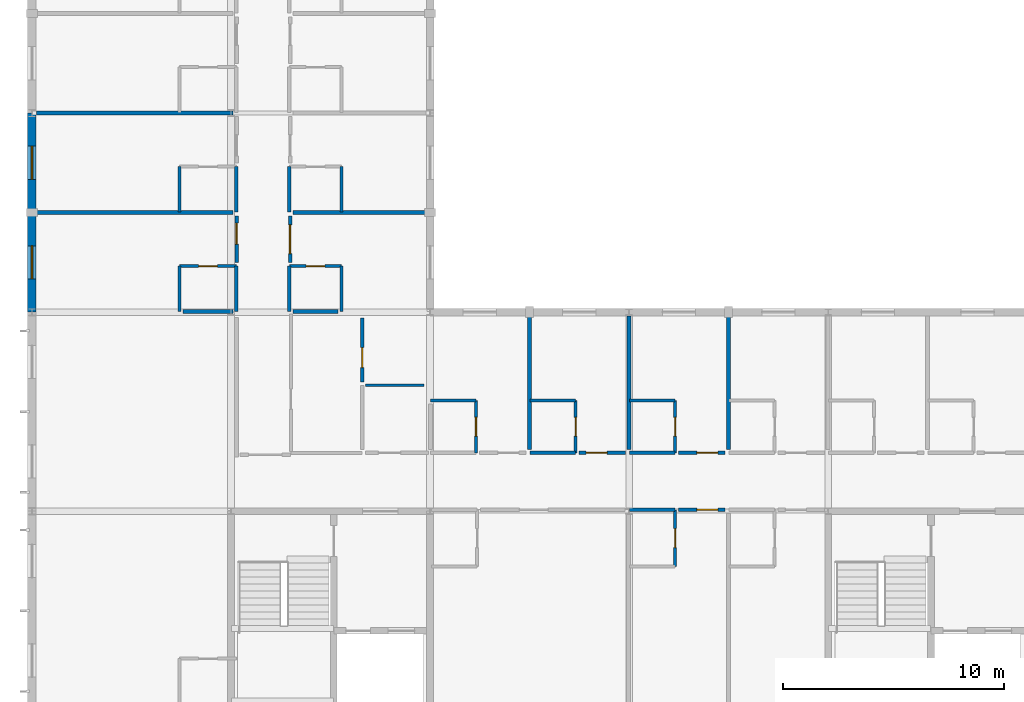
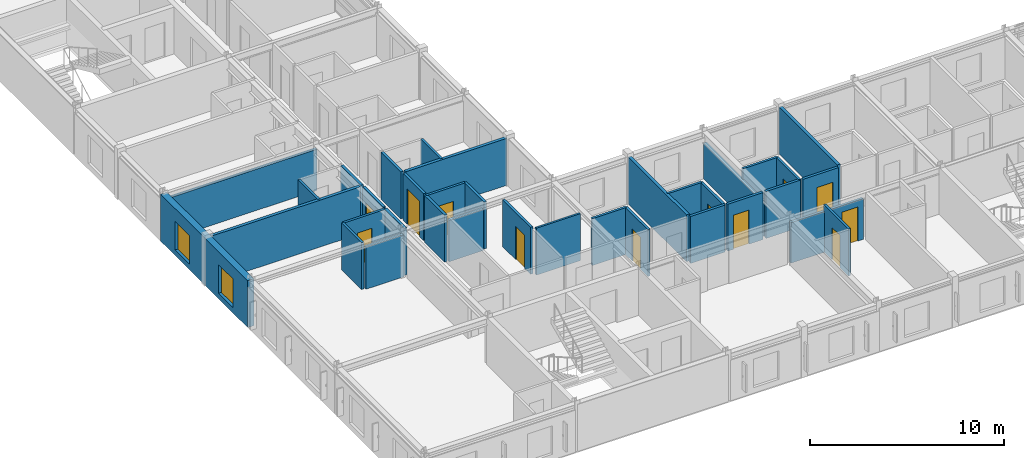
# One storey, part 10 of 18: 36 walls, 12 doors, 2 windows, 14 openings.
"""IFC4 building model written with IfcOpenShell, lengths in metres."""

from ifc_helpers import new_model, si_unit, direction, frame, frame_2d, origin, place, context, subcontext, project, spatial, rectangle, extrude, material, layer, layer_set, type_object, element, fill, save


model = new_model("IFC4")

# Units and contexts
model_context = context("Model", 3, precision=1e-05, world=origin(), true_north=direction((0.0, 1.0)))
body_context = subcontext(model_context, "Body", "Model", "MODEL_VIEW")
ifc_project = project(units=[si_unit("LENGTHUNIT", "METRE"), si_unit("AREAUNIT", "SQUARE_METRE"), si_unit("VOLUMEUNIT", "CUBIC_METRE"), si_unit("PLANEANGLEUNIT", "RADIAN"), si_unit("MASSUNIT", "GRAM", prefix="KILO")], contexts=[model_context])

# Site, building, storey
site_placement = place(None, origin())
site = spatial("IfcSite", under=ifc_project, at=site_placement, CompositionType="ELEMENT")
building_placement = place(site_placement, origin())
building = spatial("IfcBuilding", under=site, at=building_placement, Name="Palais des Congres Ocreval", CompositionType="ELEMENT")
storey_placement = place(building_placement, frame((0.0, 0.0, 23.679931640625)))
storey = spatial("IfcBuildingStorey", under=building, at=storey_placement, Name="L07", CompositionType="ELEMENT", Elevation=23.679931640625)

# Wall, opening, door
ifc_material_1 = material(Name="Moisture-resistant gypsum board")
ifc_layer_1 = layer(ifc_material_1, 0.139892578125)
ifc_layer_set_1 = layer_set([ifc_layer_1], Name="Bathroom Plumbing Chase Wall 140 Gypsum (Moisture-resistant gypsum board)")
wall_type_1 = type_object("IfcWallType", Name="Bathroom Plumbing Chase Wall 140 Gypsum", PredefinedType="PLUMBINGWALL", material=ifc_layer_set_1)
wall_1_placement = place(storey_placement, frame((29.080078125, 6.5, 0.0), z_axis=(0.0, 0.0, 1.0), x_axis=(0.0, 1.0, 0.0)))
wall_1 = element("IfcWall", 1, at=wall_1_placement, inside=storey, type_object=wall_type_1, Name="Bathroom Plumbing Wall PW03 L07", PredefinedType="PLUMBINGWALL", context=body_context, shape_type="SweptSolid", body=[
    extrude(rectangle(XDim=2.56005859375, YDim=0.139892578125, at=frame_2d((1.280029296875, 0.0))), origin(), (0.0, 0.0, 1.0), 2.9599609375),
])
opening_1_placement = place(wall_1_placement, frame((0.85498046875, 0.0, 0.0)))
opening_1 = element("IfcOpeningElement", 2, at=opening_1_placement, cuts=wall_1, Name="Opening D08", PredefinedType="OPENING", context=body_context, shape_type="SweptSolid", body=[
    extrude(rectangle(XDim=0.85009765625, YDim=2.0400390625, at=frame_2d((0.425048828125, 1.02001953125))), frame((0.0, 0.079833984375, 0.0), z_axis=(0.0, -1.0, 0.0), x_axis=(1.0, 0.0, 0.0)), (0.0, 0.0, 1.0), 0.159912109375),
])
ifc_material_2 = material(Name="Solid French oak", Category="wood")
door_type_1 = type_object("IfcDoorType", Name="En-Suite Bathroom Door 850x2040", OperationType="NOTDEFINED", PredefinedType="DOOR", material=ifc_material_2)
door_1_placement = place(opening_1_placement, origin())
door_1 = element("IfcDoor", 3, at=door_1_placement, inside=storey, type_object=door_type_1, Name="En-Suite Bathroom Door D08 L07", OperationType="SINGLE_SWING_LEFT", OverallHeight=2.0400390625, OverallWidth=0.85009765625, PredefinedType="DOOR", context=body_context, shape_type="SweptSolid", body=[
    extrude(rectangle(XDim=0.85009765625, YDim=2.0400390625, at=frame_2d((0.425048828125, 1.02001953125))), frame((0.0, 0.02490234375, 0.0), z_axis=(0.0, -1.0, 0.0), x_axis=(1.0, 0.0, 0.0)), (0.0, 0.0, 1.0), 0.050048828125),
])
fill(opening_1, door_1)

wall_2_placement = place(storey_placement, frame((20.080078125, 11.639892578125, 0.0), z_axis=(0.0, 0.0, 1.0), x_axis=(0.0, 1.0, 0.0)))
wall_2 = element("IfcWall", 4, at=wall_2_placement, inside=storey, type_object=wall_type_1, Name="Bathroom Plumbing Wall PW03 L07", PredefinedType="PLUMBINGWALL", context=body_context, shape_type="SweptSolid", body=[
    extrude(rectangle(XDim=2.360107421875, YDim=0.139892578125, at=frame_2d((1.18017578125, 0.0))), origin(), (0.0, 0.0, 1.0), 2.9599609375),
])
opening_2_placement = place(wall_2_placement, frame((0.7548828125, 0.0, 0.0)))
opening_2 = element("IfcOpeningElement", 5, at=opening_2_placement, cuts=wall_2, Name="Opening D08", PredefinedType="OPENING", context=body_context, shape_type="SweptSolid", body=[
    extrude(rectangle(XDim=0.85009765625, YDim=2.0400390625, at=frame_2d((0.425048828125, 1.02001953125))), frame((0.0, 0.079833984375, 0.0), z_axis=(0.0, -1.0, 0.0), x_axis=(1.0, 0.0, 0.0)), (0.0, 0.0, 1.0), 0.159912109375),
])
door_2_placement = place(opening_2_placement, origin())
door_2 = element("IfcDoor", 6, at=door_2_placement, inside=storey, type_object=door_type_1, Name="En-Suite Bathroom Door D08 L07", OperationType="SINGLE_SWING_LEFT", OverallHeight=2.0400390625, OverallWidth=0.85009765625, PredefinedType="DOOR", context=body_context, shape_type="SweptSolid", body=[
    extrude(rectangle(XDim=0.85009765625, YDim=2.0400390625, at=frame_2d((0.425048828125, 1.02001953125))), frame((0.0, 0.02490234375, 0.0), z_axis=(0.0, -1.0, 0.0), x_axis=(1.0, 0.0, 0.0)), (0.0, 0.0, 1.0), 0.050048828125),
])
fill(opening_2, door_2)

# Wall
wall_3_placement = place(storey_placement, frame((18.02001953125, 14.0, 0.0), z_axis=(0.0, 0.0, 1.0), x_axis=(1.0, 0.0, 0.0)))
element("IfcWall", 7, at=wall_3_placement, inside=storey, type_object=wall_type_1, Name="Bathroom Plumbing Wall PW03 L07", PredefinedType="PLUMBINGWALL", context=body_context, shape_type="SweptSolid", body=[
    extrude(rectangle(XDim=2.06005859375, YDim=0.139892578125, at=frame_2d((1.030029296875, 0.0))), origin(), (0.0, 0.0, 1.0), 2.9599609375),
])

# Wall, opening, door
wall_4_placement = place(storey_placement, frame((24.580078125, 11.639892578125, 0.0), z_axis=(0.0, 0.0, 1.0), x_axis=(0.0, 1.0, 0.0)))
wall_4 = element("IfcWall", 8, at=wall_4_placement, inside=storey, type_object=wall_type_1, Name="Bathroom Plumbing Wall PW03 L07", PredefinedType="PLUMBINGWALL", context=body_context, shape_type="SweptSolid", body=[
    extrude(rectangle(XDim=2.360107421875, YDim=0.139892578125, at=frame_2d((1.18017578125, 0.0))), origin(), (0.0, 0.0, 1.0), 2.9599609375),
])
opening_3_placement = place(wall_4_placement, frame((0.7548828125, 0.0, 0.0)))
opening_3 = element("IfcOpeningElement", 9, at=opening_3_placement, cuts=wall_4, Name="Opening D08", PredefinedType="OPENING", context=body_context, shape_type="SweptSolid", body=[
    extrude(rectangle(XDim=0.85009765625, YDim=2.0400390625, at=frame_2d((0.425048828125, 1.02001953125))), frame((0.0, 0.079833984375, 0.0), z_axis=(0.0, -1.0, 0.0), x_axis=(1.0, 0.0, 0.0)), (0.0, 0.0, 1.0), 0.159912109375),
])
door_3_placement = place(opening_3_placement, origin())
door_3 = element("IfcDoor", 10, at=door_3_placement, inside=storey, type_object=door_type_1, Name="En-Suite Bathroom Door D08 L07", OperationType="SINGLE_SWING_RIGHT", OverallHeight=2.0400390625, OverallWidth=0.85009765625, PredefinedType="DOOR", context=body_context, shape_type="SweptSolid", body=[
    extrude(rectangle(XDim=0.85009765625, YDim=2.0400390625, at=frame_2d((0.425048828125, 1.02001953125))), frame((0.0, 0.02490234375, 0.0), z_axis=(0.0, -1.0, 0.0), x_axis=(1.0, 0.0, 0.0)), (0.0, 0.0, 1.0), 0.050048828125),
])
fill(opening_3, door_3)

# Wall
wall_5_placement = place(storey_placement, frame((22.52001953125, 14.0, 0.0), z_axis=(0.0, 0.0, 1.0), x_axis=(1.0, 0.0, 0.0)))
element("IfcWall", 11, at=wall_5_placement, inside=storey, type_object=wall_type_1, Name="Bathroom Plumbing Wall PW03 L07", PredefinedType="PLUMBINGWALL", context=body_context, shape_type="SweptSolid", body=[
    extrude(rectangle(XDim=2.06005859375, YDim=0.139892578125, at=frame_2d((1.030029296875, 0.0))), origin(), (0.0, 0.0, 1.0), 2.9599609375),
])

# Wall, opening, door
wall_6_placement = place(storey_placement, frame((29.080078125, 11.639892578125, 0.0), z_axis=(0.0, 0.0, 1.0), x_axis=(0.0, 1.0, 0.0)))
wall_6 = element("IfcWall", 12, at=wall_6_placement, inside=storey, type_object=wall_type_1, Name="Bathroom Plumbing Wall PW03 L07", PredefinedType="PLUMBINGWALL", context=body_context, shape_type="SweptSolid", body=[
    extrude(rectangle(XDim=2.360107421875, YDim=0.139892578125, at=frame_2d((1.18017578125, 0.0))), origin(), (0.0, 0.0, 1.0), 2.9599609375),
])
opening_4_placement = place(wall_6_placement, frame((0.7548828125, 0.0, 0.0)))
opening_4 = element("IfcOpeningElement", 13, at=opening_4_placement, cuts=wall_6, Name="Opening D08", PredefinedType="OPENING", context=body_context, shape_type="SweptSolid", body=[
    extrude(rectangle(XDim=0.85009765625, YDim=2.0400390625, at=frame_2d((0.425048828125, 1.02001953125))), frame((0.0, 0.079833984375, 0.0), z_axis=(0.0, -1.0, 0.0), x_axis=(1.0, 0.0, 0.0)), (0.0, 0.0, 1.0), 0.159912109375),
])
door_4_placement = place(opening_4_placement, origin())
door_4 = element("IfcDoor", 14, at=door_4_placement, inside=storey, type_object=door_type_1, Name="En-Suite Bathroom Door D08 L07", OperationType="SINGLE_SWING_LEFT", OverallHeight=2.0400390625, OverallWidth=0.85009765625, PredefinedType="DOOR", context=body_context, shape_type="SweptSolid", body=[
    extrude(rectangle(XDim=0.85009765625, YDim=2.0400390625, at=frame_2d((0.425048828125, 1.02001953125))), frame((0.0, 0.02490234375, 0.0), z_axis=(0.0, -1.0, 0.0), x_axis=(1.0, 0.0, 0.0)), (0.0, 0.0, 1.0), 0.050048828125),
])
fill(opening_4, door_4)

# Wall
wall_7_placement = place(storey_placement, frame((27.02001953125, 14.0, 0.0), z_axis=(0.0, 0.0, 1.0), x_axis=(1.0, 0.0, 0.0)))
element("IfcWall", 15, at=wall_7_placement, inside=storey, type_object=wall_type_1, Name="Bathroom Plumbing Wall PW03 L07", PredefinedType="PLUMBINGWALL", context=body_context, shape_type="SweptSolid", body=[
    extrude(rectangle(XDim=2.06005859375, YDim=0.139892578125, at=frame_2d((1.030029296875, 0.0))), origin(), (0.0, 0.0, 1.0), 2.9599609375),
])

# Wall, opening, door
wall_8_placement = place(storey_placement, frame((6.679931640625, 20.080078125, 0.0), z_axis=(0.0, 0.0, 1.0), x_axis=(1.0, 0.0, 0.0)))
wall_8 = element("IfcWall", 16, at=wall_8_placement, inside=storey, type_object=wall_type_1, Name="Bathroom Plumbing Wall PW03 L07", PredefinedType="PLUMBINGWALL", context=body_context, shape_type="SweptSolid", body=[
    extrude(rectangle(XDim=2.56005859375, YDim=0.139892578125, at=frame_2d((1.280029296875, 0.0))), origin(), (0.0, 0.0, 1.0), 2.9599609375),
])
opening_5_placement = place(wall_8_placement, frame((0.85498046875, 0.0, 0.0)))
opening_5 = element("IfcOpeningElement", 17, at=opening_5_placement, cuts=wall_8, Name="Opening D08", PredefinedType="OPENING", context=body_context, shape_type="SweptSolid", body=[
    extrude(rectangle(XDim=0.85009765625, YDim=2.0400390625, at=frame_2d((0.425048828125, 1.02001953125))), frame((0.0, 0.079833984375, 0.0), z_axis=(0.0, -1.0, 0.0), x_axis=(1.0, 0.0, 0.0)), (0.0, 0.0, 1.0), 0.159912109375),
])
door_5_placement = place(opening_5_placement, origin())
door_5 = element("IfcDoor", 18, at=door_5_placement, inside=storey, type_object=door_type_1, Name="En-Suite Bathroom Door D08 L07", OperationType="SINGLE_SWING_LEFT", OverallHeight=2.0400390625, OverallWidth=0.85009765625, PredefinedType="DOOR", context=body_context, shape_type="SweptSolid", body=[
    extrude(rectangle(XDim=0.85009765625, YDim=2.0400390625, at=frame_2d((0.425048828125, 1.02001953125))), frame((0.0, 0.02490234375, 0.0), z_axis=(0.0, -1.0, 0.0), x_axis=(1.0, 0.0, 0.0)), (0.0, 0.0, 1.0), 0.050048828125),
])
fill(opening_5, door_5)

# Walls
for number, where, z_axis, x_axis, name in (
    (19, (6.679931640625, 18.02001953125, 0.0), (0.0, 0.0, 1.0), (0.0, 1.0, 0.0), "Bathroom Plumbing Wall PW03 L07"),
    (20, (6.679931640625, 22.52001953125, 0.0), (0.0, 0.0, 1.0), (0.0, 1.0, 0.0), "Bathroom Plumbing Wall PW03 L07"),
):
    element("IfcWall", number, at=place(storey_placement, frame(where, z_axis=z_axis, x_axis=x_axis)), inside=storey, type_object=wall_type_1, Name=name, PredefinedType="PLUMBINGWALL", context=body_context, shape_type="SweptSolid", body=[
        extrude(rectangle(XDim=2.06005859375, YDim=0.139892578125, at=frame_2d((1.030029296875, 0.0))), origin(), (0.0, 0.0, 1.0), 2.9599609375),
    ])

# Wall, opening, door
wall_9_placement = place(storey_placement, frame((11.639892578125, 20.080078125, 0.0), z_axis=(0.0, 0.0, 1.0), x_axis=(1.0, 0.0, 0.0)))
wall_9 = element("IfcWall", 21, at=wall_9_placement, inside=storey, type_object=wall_type_1, Name="Bathroom Plumbing Wall PW03 L07", PredefinedType="PLUMBINGWALL", context=body_context, shape_type="SweptSolid", body=[
    extrude(rectangle(XDim=2.360107421875, YDim=0.139892578125, at=frame_2d((1.18017578125, 0.0))), origin(), (0.0, 0.0, 1.0), 2.9599609375),
])
opening_6_placement = place(wall_9_placement, frame((0.7548828125, 0.0, 0.0)))
opening_6 = element("IfcOpeningElement", 22, at=opening_6_placement, cuts=wall_9, Name="Opening D08", PredefinedType="OPENING", context=body_context, shape_type="SweptSolid", body=[
    extrude(rectangle(XDim=0.85009765625, YDim=2.0400390625, at=frame_2d((0.425048828125, 1.02001953125))), frame((0.0, 0.079833984375, 0.0), z_axis=(0.0, -1.0, 0.0), x_axis=(1.0, 0.0, 0.0)), (0.0, 0.0, 1.0), 0.159912109375),
])
door_6_placement = place(opening_6_placement, origin())
door_6 = element("IfcDoor", 23, at=door_6_placement, inside=storey, type_object=door_type_1, Name="En-Suite Bathroom Door D08 L07", OperationType="SINGLE_SWING_LEFT", OverallHeight=2.0400390625, OverallWidth=0.85009765625, PredefinedType="DOOR", context=body_context, shape_type="SweptSolid", body=[
    extrude(rectangle(XDim=0.85009765625, YDim=2.0400390625, at=frame_2d((0.425048828125, 1.02001953125))), frame((0.0, 0.02490234375, 0.0), z_axis=(0.0, -1.0, 0.0), x_axis=(1.0, 0.0, 0.0)), (0.0, 0.0, 1.0), 0.050048828125),
])
fill(opening_6, door_6)

# Walls
for number, where, z_axis, x_axis, name in (
    (24, (14.0, 18.02001953125, 0.0), (0.0, 0.0, 1.0), (0.0, 1.0, 0.0), "Bathroom Plumbing Wall PW03 L07"),
    (25, (14.0, 22.52001953125, 0.0), (0.0, 0.0, 1.0), (0.0, 1.0, 0.0), "Bathroom Plumbing Wall PW03 L07"),
):
    element("IfcWall", number, at=place(storey_placement, frame(where, z_axis=z_axis, x_axis=x_axis)), inside=storey, type_object=wall_type_1, Name=name, PredefinedType="PLUMBINGWALL", context=body_context, shape_type="SweptSolid", body=[
        extrude(rectangle(XDim=2.06005859375, YDim=0.139892578125, at=frame_2d((1.030029296875, 0.0))), origin(), (0.0, 0.0, 1.0), 2.9599609375),
    ])

# Wall, opening, door
wall_10_placement = place(storey_placement, frame((14.93505859375, 14.844970703125, 0.0), z_axis=(0.0, 0.0, 1.0), x_axis=(0.0, 1.0, 0.0)))
wall_10 = element("IfcWall", 26, at=wall_10_placement, inside=storey, type_object=wall_type_1, Name="Interior Partition PW03 L07", PredefinedType="PLUMBINGWALL", context=body_context, shape_type="SweptSolid", body=[
    extrude(rectangle(XDim=2.885009765625, YDim=0.139892578125, at=frame_2d((1.4423828125, 0.0))), origin(), (0.0, 0.0, 1.0), 2.9599609375),
])
opening_7_placement = place(wall_10_placement, frame((0.646240234375, 0.0, 0.0)))
opening_7 = element("IfcOpeningElement", 27, at=opening_7_placement, cuts=wall_10, Name="Opening D09", PredefinedType="OPENING", context=body_context, shape_type="SweptSolid", body=[
    extrude(rectangle(XDim=0.89990234375, YDim=2.10009765625, at=frame_2d((0.449951171875, 1.050048828125))), frame((0.0, 0.079833984375, 0.0), z_axis=(0.0, -1.0, 0.0), x_axis=(1.0, 0.0, 0.0)), (0.0, 0.0, 1.0), 0.159912109375),
])
door_type_2 = type_object("IfcDoorType", Name="Accessible Restroom Door 900x2100", OperationType="NOTDEFINED", PredefinedType="DOOR", material=ifc_material_2)
door_7_placement = place(opening_7_placement, origin())
door_7 = element("IfcDoor", 28, at=door_7_placement, inside=storey, type_object=door_type_2, Name="Interior Door D09 L07", OperationType="SINGLE_SWING_LEFT", OverallHeight=2.10009765625, OverallWidth=0.89990234375, PredefinedType="DOOR", context=body_context, shape_type="SweptSolid", body=[
    extrude(rectangle(XDim=0.89990234375, YDim=2.10009765625, at=frame_2d((0.449951171875, 1.050048828125))), frame((0.0, 0.02490234375, 0.0), z_axis=(0.0, -1.0, 0.0), x_axis=(1.0, 0.0, 0.0)), (0.0, 0.0, 1.0), 0.050048828125),
])
fill(opening_7, door_7)

# Walls
ifc_material_3 = material(Name="Gypsum acoustic partition")
ifc_layer_2 = layer(ifc_material_3, 0.159912109375)
ifc_layer_set_2 = layer_set([ifc_layer_2], Name="Corridor Fire Partition 160 Gypsum (Gypsum acoustic partition)")
wall_type_2 = type_object("IfcWallType", Name="Corridor Fire Partition 160 Gypsum", PredefinedType="PARTITIONING", material=ifc_layer_set_2)
wall_11_placement = place(storey_placement, frame((27.02001953125, 9.06005859375, 0.0), z_axis=(0.0, 0.0, 1.0), x_axis=(1.0, 0.0, 0.0)))
element("IfcWall", 29, at=wall_11_placement, inside=storey, type_object=wall_type_2, Name="Corridor Partition IW03 L07", PredefinedType="PARTITIONING", context=body_context, shape_type="SweptSolid", body=[
    extrude(rectangle(XDim=2.06005859375, YDim=0.159912109375, at=frame_2d((1.030029296875, 0.0))), origin(), (0.0, 0.0, 1.0), 2.56005859375),
])
for number, where, z_axis, x_axis, name in (
    (30, (22.52001953125, 11.639892578125, 0.0), (0.0, 0.0, 1.0), (1.0, 0.0, 0.0), "Corridor Partition IW03 L07"),
    (31, (27.02001953125, 11.639892578125, 0.0), (0.0, 0.0, 1.0), (1.0, 0.0, 0.0), "Corridor Partition IW03 L07"),
    (32, (9.239990234375, 18.02001953125, 0.0), (0.0, 0.0, 1.0), (0.0, 1.0, 0.0), "Corridor Partition IW03 L07"),
    (33, (9.239990234375, 22.52001953125, 0.0), (0.0, 0.0, 1.0), (0.0, 1.0, 0.0), "Corridor Partition IW03 L07"),
    (34, (11.639892578125, 18.02001953125, 0.0), (0.0, 0.0, 1.0), (0.0, 1.0, 0.0), "Corridor Partition IW03 L07"),
    (35, (11.639892578125, 22.52001953125, 0.0), (0.0, 0.0, 1.0), (0.0, 1.0, 0.0), "Corridor Partition IW03 L07"),
):
    element("IfcWall", number, at=place(storey_placement, frame(where, z_axis=z_axis, x_axis=x_axis)), inside=storey, type_object=wall_type_2, Name=name, PredefinedType="PARTITIONING", context=body_context, shape_type="SweptSolid", body=[
        extrude(rectangle(XDim=2.06005859375, YDim=0.159912109375, at=frame_2d((1.030029296875, 0.0))), origin(), (0.0, 0.0, 1.0), 2.9599609375),
    ])

# Wall, opening, door
wall_12_placement = place(storey_placement, frame((29.235107421875, 9.06494140625, 0.0), z_axis=(0.0, 0.0, 1.0), x_axis=(1.0, 0.0, 0.0)))
wall_12 = element("IfcWall", 36, at=wall_12_placement, inside=storey, type_object=wall_type_2, Name="Interior Partition IW03 L07", PredefinedType="PARTITIONING", context=body_context, shape_type="SweptSolid", body=[
    extrude(rectangle(XDim=2.10986328125, YDim=0.159912109375, at=frame_2d((1.054931640625, 0.0))), origin(), (0.0, 0.0, 1.0), 2.56005859375),
])
opening_8_placement = place(wall_12_placement, frame((0.833251953125, 0.0, 0.0)))
opening_8 = element("IfcOpeningElement", 37, at=opening_8_placement, cuts=wall_12, Name="Opening D05", PredefinedType="OPENING", context=body_context, shape_type="SweptSolid", body=[
    extrude(rectangle(XDim=0.949951171875, YDim=2.14990234375, at=frame_2d((0.47509765625, 1.074951171875))), frame((0.0, 0.08984375, 0.0), z_axis=(0.0, -1.0, 0.0), x_axis=(1.0, 0.0, 0.0)), (0.0, 0.0, 1.0), 0.179931640625),
])
door_type_3 = type_object("IfcDoorType", Name="Hotel Guestroom Entrance Door 950x2150", OperationType="NOTDEFINED", PredefinedType="DOOR", material=ifc_material_2)
door_8_placement = place(opening_8_placement, origin())
door_8 = element("IfcDoor", 38, at=door_8_placement, inside=storey, type_object=door_type_3, Name="Interior Door D05 L07", OperationType="SINGLE_SWING_RIGHT", OverallHeight=2.14990234375, OverallWidth=0.949951171875, PredefinedType="DOOR", context=body_context, shape_type="SweptSolid", body=[
    extrude(rectangle(XDim=0.949951171875, YDim=2.14990234375, at=frame_2d((0.47509765625, 1.074951171875))), frame((0.0, 0.02490234375, 0.0), z_axis=(0.0, -1.0, 0.0), x_axis=(1.0, 0.0, 0.0)), (0.0, 0.0, 1.0), 0.050048828125),
])
fill(opening_8, door_8)

wall_13_placement = place(storey_placement, frame((24.735107421875, 11.635009765625, 0.0), z_axis=(0.0, 0.0, 1.0), x_axis=(1.0, 0.0, 0.0)))
wall_13 = element("IfcWall", 39, at=wall_13_placement, inside=storey, type_object=wall_type_2, Name="Interior Partition IW03 L07", PredefinedType="PARTITIONING", context=body_context, shape_type="SweptSolid", body=[
    extrude(rectangle(XDim=2.10986328125, YDim=0.159912109375, at=frame_2d((1.054931640625, 0.0))), origin(), (0.0, 0.0, 1.0), 2.9599609375),
])
opening_9_placement = place(wall_13_placement, frame((0.326904296875, 0.0, 0.0)))
opening_9 = element("IfcOpeningElement", 40, at=opening_9_placement, cuts=wall_13, Name="Opening D05", PredefinedType="OPENING", context=body_context, shape_type="SweptSolid", body=[
    extrude(rectangle(XDim=0.949951171875, YDim=2.14990234375, at=frame_2d((0.47509765625, 1.074951171875))), frame((0.0, 0.08984375, 0.0), z_axis=(0.0, -1.0, 0.0), x_axis=(1.0, 0.0, 0.0)), (0.0, 0.0, 1.0), 0.179931640625),
])
door_9_placement = place(opening_9_placement, origin())
door_9 = element("IfcDoor", 41, at=door_9_placement, inside=storey, type_object=door_type_3, Name="Interior Door D05 L07", OperationType="SINGLE_SWING_LEFT", OverallHeight=2.14990234375, OverallWidth=0.949951171875, PredefinedType="DOOR", context=body_context, shape_type="SweptSolid", body=[
    extrude(rectangle(XDim=0.949951171875, YDim=2.14990234375, at=frame_2d((0.47509765625, 1.074951171875))), frame((0.0, 0.02490234375, 0.0), z_axis=(0.0, -1.0, 0.0), x_axis=(1.0, 0.0, 0.0)), (0.0, 0.0, 1.0), 0.050048828125),
])
fill(opening_9, door_9)

wall_14_placement = place(storey_placement, frame((29.235107421875, 11.635009765625, 0.0), z_axis=(0.0, 0.0, 1.0), x_axis=(1.0, 0.0, 0.0)))
wall_14 = element("IfcWall", 42, at=wall_14_placement, inside=storey, type_object=wall_type_2, Name="Interior Partition IW03 L07", PredefinedType="PARTITIONING", context=body_context, shape_type="SweptSolid", body=[
    extrude(rectangle(XDim=2.10986328125, YDim=0.159912109375, at=frame_2d((1.054931640625, 0.0))), origin(), (0.0, 0.0, 1.0), 2.9599609375),
])
opening_10_placement = place(wall_14_placement, frame((0.833251953125, 0.0, 0.0)))
opening_10 = element("IfcOpeningElement", 43, at=opening_10_placement, cuts=wall_14, Name="Opening D05", PredefinedType="OPENING", context=body_context, shape_type="SweptSolid", body=[
    extrude(rectangle(XDim=0.949951171875, YDim=2.14990234375, at=frame_2d((0.47509765625, 1.074951171875))), frame((0.0, 0.08984375, 0.0), z_axis=(0.0, -1.0, 0.0), x_axis=(1.0, 0.0, 0.0)), (0.0, 0.0, 1.0), 0.179931640625),
])
door_10_placement = place(opening_10_placement, origin())
door_10 = element("IfcDoor", 44, at=door_10_placement, inside=storey, type_object=door_type_3, Name="Interior Door D05 L07", OperationType="SINGLE_SWING_RIGHT", OverallHeight=2.14990234375, OverallWidth=0.949951171875, PredefinedType="DOOR", context=body_context, shape_type="SweptSolid", body=[
    extrude(rectangle(XDim=0.949951171875, YDim=2.14990234375, at=frame_2d((0.47509765625, 1.074951171875))), frame((0.0, 0.02490234375, 0.0), z_axis=(0.0, -1.0, 0.0), x_axis=(1.0, 0.0, 0.0)), (0.0, 0.0, 1.0), 0.050048828125),
])
fill(opening_10, door_10)

wall_15_placement = place(storey_placement, frame((9.25, 20.235107421875, 0.0), z_axis=(0.0, 0.0, 1.0), x_axis=(0.0, 1.0, 0.0)))
wall_15 = element("IfcWall", 45, at=wall_15_placement, inside=storey, type_object=wall_type_2, Name="Interior Partition IW03 L07", PredefinedType="PARTITIONING", context=body_context, shape_type="SweptSolid", body=[
    extrude(rectangle(XDim=2.10986328125, YDim=0.159912109375, at=frame_2d((1.054931640625, 0.0))), origin(), (0.0, 0.0, 1.0), 2.9599609375),
])
opening_11_placement = place(wall_15_placement, frame((0.833251953125, 0.0, 0.0)))
opening_11 = element("IfcOpeningElement", 46, at=opening_11_placement, cuts=wall_15, Name="Opening D05", PredefinedType="OPENING", context=body_context, shape_type="SweptSolid", body=[
    extrude(rectangle(XDim=0.949951171875, YDim=2.14990234375, at=frame_2d((0.47509765625, 1.074951171875))), frame((0.0, 0.08984375, 0.0), z_axis=(0.0, -1.0, 0.0), x_axis=(1.0, 0.0, 0.0)), (0.0, 0.0, 1.0), 0.179931640625),
])
door_11_placement = place(opening_11_placement, origin())
door_11 = element("IfcDoor", 47, at=door_11_placement, inside=storey, type_object=door_type_3, Name="Interior Door D05 L07", OperationType="SINGLE_SWING_RIGHT", OverallHeight=2.14990234375, OverallWidth=0.949951171875, PredefinedType="DOOR", context=body_context, shape_type="SweptSolid", body=[
    extrude(rectangle(XDim=0.949951171875, YDim=2.14990234375, at=frame_2d((0.47509765625, 1.074951171875))), frame((0.0, 0.02490234375, 0.0), z_axis=(0.0, -1.0, 0.0), x_axis=(1.0, 0.0, 0.0)), (0.0, 0.0, 1.0), 0.050048828125),
])
fill(opening_11, door_11)

wall_16_placement = place(storey_placement, frame((11.669921875, 20.235107421875, 0.0), z_axis=(0.0, 0.0, 1.0), x_axis=(0.0, 1.0, 0.0)))
wall_16 = element("IfcWall", 48, at=wall_16_placement, inside=storey, type_object=wall_type_2, Name="Interior Partition IW03 L07", PredefinedType="PARTITIONING", context=body_context, shape_type="SweptSolid", body=[
    extrude(rectangle(XDim=2.10986328125, YDim=0.159912109375, at=frame_2d((1.054931640625, 0.0))), origin(), (0.0, 0.0, 1.0), 2.9599609375),
])
opening_12_placement = place(wall_16_placement, frame((0.405029296875, 0.0, 0.0)))
opening_12 = element("IfcOpeningElement", 49, at=opening_12_placement, cuts=wall_16, Name="Opening D07", PredefinedType="OPENING", context=body_context, shape_type="SweptSolid", body=[
    extrude(rectangle(XDim=1.300048828125, YDim=2.25, at=frame_2d((0.64990234375, 1.125))), frame((0.0, 0.08984375, 0.0), z_axis=(0.0, -1.0, 0.0), x_axis=(1.0, 0.0, 0.0)), (0.0, 0.0, 1.0), 0.179931640625),
])
door_type_4 = type_object("IfcDoorType", Name="Luxury Suite Double Door 1300x2250", OperationType="NOTDEFINED", PredefinedType="DOOR", material=ifc_material_2)
door_12_placement = place(opening_12_placement, origin())
door_12 = element("IfcDoor", 50, at=door_12_placement, inside=storey, type_object=door_type_4, Name="Interior Door D07 L07", OperationType="DOUBLE_DOOR_SINGLE_SWING", OverallHeight=2.25, OverallWidth=1.300048828125, PredefinedType="DOOR", context=body_context, shape_type="SweptSolid", body=[
    extrude(rectangle(XDim=1.300048828125, YDim=2.25, at=frame_2d((0.64990234375, 1.125))), frame((0.0, 0.02490234375, 0.0), z_axis=(0.0, -1.0, 0.0), x_axis=(1.0, 0.0, 0.0)), (0.0, 0.0, 1.0), 0.050048828125),
])
fill(opening_12, door_12)

# Walls
ifc_layer_3 = layer(ifc_material_3, 0.179931640625)
ifc_layer_set_3 = layer_set([ifc_layer_3], Name="Hotel Inter-Room Acoustic Partition 180 Gypsum (Gypsum acoustic partition)")
wall_type_3 = type_object("IfcWallType", Name="Hotel Inter-Room Acoustic Partition 180 Gypsum", PredefinedType="PARTITIONING", material=ifc_layer_set_3)
wall_17_placement = place(storey_placement, frame((22.5, 11.794921875, 0.0), z_axis=(0.0, 0.0, 1.0), x_axis=(0.0, 1.0, 0.0)))
element("IfcWall", 51, at=wall_17_placement, inside=storey, type_object=wall_type_3, Name="Hotel Party Partition IW02 L07", PredefinedType="PARTITIONING", context=body_context, shape_type="SweptSolid", body=[
    extrude(rectangle(XDim=6.030029296875, YDim=0.179931640625, at=frame_2d((3.01513671875, 0.0))), origin(), (0.0, 0.0, 1.0), 2.9599609375),
])
wall_18_placement = place(storey_placement, frame((27.0, 11.794921875, 0.0), z_axis=(0.0, 0.0, 1.0), x_axis=(0.0, 1.0, 0.0)))
element("IfcWall", 52, at=wall_18_placement, inside=storey, type_object=wall_type_3, Name="Hotel Party Partition IW02 L07", PredefinedType="PARTITIONING", context=body_context, shape_type="SweptSolid", body=[
    extrude(rectangle(XDim=6.030029296875, YDim=0.179931640625, at=frame_2d((3.01513671875, 0.0))), origin(), (0.0, 0.0, 1.0), 2.27001953125),
])
wall_19_placement = place(storey_placement, frame((31.5, 11.794921875, 0.0), z_axis=(0.0, 0.0, 1.0), x_axis=(0.0, 1.0, 0.0)))
element("IfcWall", 53, at=wall_19_placement, inside=storey, type_object=wall_type_3, Name="Hotel Party Partition IW02 L07", PredefinedType="PARTITIONING", context=body_context, shape_type="SweptSolid", body=[
    extrude(rectangle(XDim=6.030029296875, YDim=0.179931640625, at=frame_2d((3.01513671875, 0.0))), origin(), (0.0, 0.0, 1.0), 2.9599609375),
])
wall_20_placement = place(storey_placement, frame((0.195068359375, 22.5, 0.0), z_axis=(0.0, 0.0, 1.0), x_axis=(1.0, 0.0, 0.0)))
element("IfcWall", 54, at=wall_20_placement, inside=storey, type_object=wall_type_3, Name="Hotel Party Partition IW02 L07", PredefinedType="PARTITIONING", context=body_context, shape_type="SweptSolid", body=[
    extrude(rectangle(XDim=8.889892578125, YDim=0.179931640625, at=frame_2d((4.44482421875, 0.0))), origin(), (0.0, 0.0, 1.0), 2.9599609375),
])
wall_21_placement = place(storey_placement, frame((0.195068359375, 27.0, 0.0), z_axis=(0.0, 0.0, 1.0), x_axis=(1.0, 0.0, 0.0)))
element("IfcWall", 55, at=wall_21_placement, inside=storey, type_object=wall_type_3, Name="Hotel Party Partition IW02 L07", PredefinedType="PARTITIONING", context=body_context, shape_type="SweptSolid", body=[
    extrude(rectangle(XDim=8.889892578125, YDim=0.179931640625, at=frame_2d((4.44482421875, 0.0))), origin(), (0.0, 0.0, 1.0), 2.60009765625),
])
wall_22_placement = place(storey_placement, frame((11.794921875, 22.5, 0.0), z_axis=(0.0, 0.0, 1.0), x_axis=(1.0, 0.0, 0.0)))
element("IfcWall", 56, at=wall_22_placement, inside=storey, type_object=wall_type_3, Name="Hotel Party Partition IW02 L07", PredefinedType="PARTITIONING", context=body_context, shape_type="SweptSolid", body=[
    extrude(rectangle(XDim=6.030029296875, YDim=0.179931640625, at=frame_2d((3.01513671875, 0.0))), origin(), (0.0, 0.0, 1.0), 2.9599609375),
])
wall_23_placement = place(storey_placement, frame((6.8349609375, 18.02001953125, 0.0), z_axis=(0.0, 0.0, 1.0), x_axis=(1.0, 0.0, 0.0)))
element("IfcWall", 57, at=wall_23_placement, inside=storey, type_object=wall_type_3, Name="Bathroom Party Closure Wall IW02 L07", PredefinedType="PARTITIONING", context=body_context, shape_type="SweptSolid", body=[
    extrude(rectangle(XDim=2.260009765625, YDim=0.179931640625, at=frame_2d((1.1298828125, 0.0))), origin(), (0.0, 0.0, 1.0), 2.66015625),
])
wall_24_placement = place(storey_placement, frame((11.794921875, 18.02001953125, 0.0), z_axis=(0.0, 0.0, 1.0), x_axis=(1.0, 0.0, 0.0)))
element("IfcWall", 58, at=wall_24_placement, inside=storey, type_object=wall_type_3, Name="Bathroom Party Closure Wall IW02 L07", PredefinedType="PARTITIONING", context=body_context, shape_type="SweptSolid", body=[
    extrude(rectangle(XDim=2.050048828125, YDim=0.179931640625, at=frame_2d((1.02490234375, 0.0))), origin(), (0.0, 0.0, 1.0), 2.60009765625),
])

# Wall, openings, windows
ifc_material_4 = material(Name="Concrete C40/50", Category="concrete")
ifc_layer_4 = layer(ifc_material_4, 0.3798828125)
ifc_layer_set_4 = layer_set([ifc_layer_4], Name="Lutetian Limestone Street Wall 380 Concrete C40/50")
wall_type_4 = type_object("IfcWallType", Name="Lutetian Limestone Street Wall 380 Concrete C40/50", PredefinedType="SOLIDWALL", material=ifc_layer_set_4)
wall_25_placement = place(storey_placement, frame((0.0, 18.0, 0.0), z_axis=(0.0, 0.0, 1.0), x_axis=(0.0, 1.0, 0.0)))
wall_25 = element("IfcWall", 59, at=wall_25_placement, inside=storey, type_object=wall_type_4, Name="Exterior Wall EW03 L07", PredefinedType="SOLIDWALL", context=body_context, shape_type="SweptSolid", body=[
    extrude(rectangle(XDim=9.0, YDim=0.3798828125, at=frame_2d((4.5, 0.0))), origin(), (0.0, 0.0, 1.0), 2.9599609375),
])
opening_13_placement = place(wall_25_placement, frame((1.5, 0.0, 0.35009765625)))
opening_13 = element("IfcOpeningElement", 60, at=opening_13_placement, cuts=wall_25, Name="Opening WN06", PredefinedType="OPENING", context=body_context, shape_type="SweptSolid", body=[
    extrude(rectangle(XDim=1.5, YDim=1.800048828125, at=frame_2d((0.75, 0.89990234375))), frame((0.0, 0.199951171875, 0.0), z_axis=(0.0, -1.0, 0.0), x_axis=(1.0, 0.0, 0.0)), (0.0, 0.0, 1.0), 0.39990234375),
])
opening_14_placement = place(wall_25_placement, frame((6.0, 0.0, 0.35009765625)))
opening_14 = element("IfcOpeningElement", 61, at=opening_14_placement, cuts=wall_25, Name="Opening WN06", PredefinedType="OPENING", context=body_context, shape_type="SweptSolid", body=[
    extrude(rectangle(XDim=1.5, YDim=1.800048828125, at=frame_2d((0.75, 0.89990234375))), frame((0.0, 0.199951171875, 0.0), z_axis=(0.0, -1.0, 0.0), x_axis=(1.0, 0.0, 0.0)), (0.0, 0.0, 1.0), 0.39990234375),
])
ifc_material_5 = material(Name="Anodized bronze aluminium and low-E glass", Category="glass")
window_type = type_object("IfcWindowType", Name="Upper Setback Window 1500x1800", PartitioningType="SINGLE_PANEL", PredefinedType="WINDOW", material=ifc_material_5)
window_1_placement = place(opening_13_placement, origin())
window_1 = element("IfcWindow", 62, at=window_1_placement, inside=storey, type_object=window_type, Name="Hotel Facade Window WN06", OverallHeight=1.800048828125, OverallWidth=1.5, PartitioningType="SINGLE_PANEL", PredefinedType="WINDOW", context=body_context, shape_type="SweptSolid", body=[
    extrude(rectangle(XDim=1.5, YDim=1.800048828125, at=frame_2d((0.75, 0.89990234375))), frame((0.0, 0.030029296875, 0.0), z_axis=(0.0, -1.0, 0.0), x_axis=(1.0, 0.0, 0.0)), (0.0, 0.0, 1.0), 0.06005859375),
])
fill(opening_13, window_1)
window_2_placement = place(opening_14_placement, origin())
window_2 = element("IfcWindow", 63, at=window_2_placement, inside=storey, type_object=window_type, Name="Hotel Facade Window WN06", OverallHeight=1.800048828125, OverallWidth=1.5, PartitioningType="SINGLE_PANEL", PredefinedType="WINDOW", context=body_context, shape_type="SweptSolid", body=[
    extrude(rectangle(XDim=1.5, YDim=1.800048828125, at=frame_2d((0.75, 0.89990234375))), frame((0.0, 0.030029296875, 0.0), z_axis=(0.0, -1.0, 0.0), x_axis=(1.0, 0.0, 0.0)), (0.0, 0.0, 1.0), 0.06005859375),
])
fill(opening_14, window_2)

# Wall
ifc_material_6 = material(Name="Gypsum board partition")
ifc_layer_5 = layer(ifc_material_6, 0.1201171875)
ifc_layer_set_5 = layer_set([ifc_layer_5], Name="Suite Subdivision Partition 120 Gypsum (Gypsum board partition)")
wall_type_5 = type_object("IfcWallType", Name="Suite Subdivision Partition 120 Gypsum", PredefinedType="PARTITIONING", material=ifc_layer_set_5)
wall_26_placement = place(storey_placement, frame((15.090087890625, 14.68994140625, 0.0), z_axis=(0.0, 0.0, 1.0), x_axis=(1.0, 0.0, 0.0)))
element("IfcWall", 64, at=wall_26_placement, inside=storey, type_object=wall_type_5, Name="Interior Partition IW04 L07", PredefinedType="PARTITIONING", context=body_context, shape_type="SweptSolid", body=[
    extrude(rectangle(XDim=2.639892578125, YDim=0.1201171875, at=frame_2d((1.31982421875, 0.0))), origin(), (0.0, 0.0, 1.0), 2.9599609375),
])

save(model, "model.ifc")
